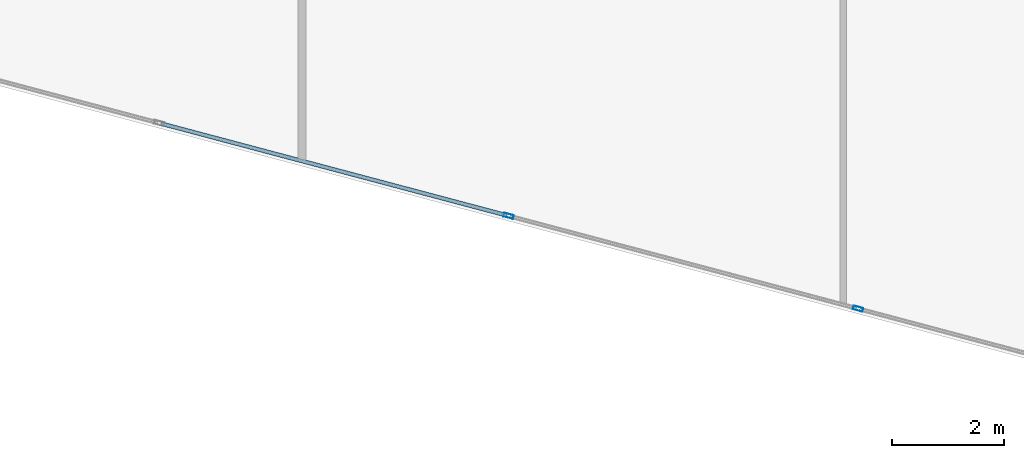
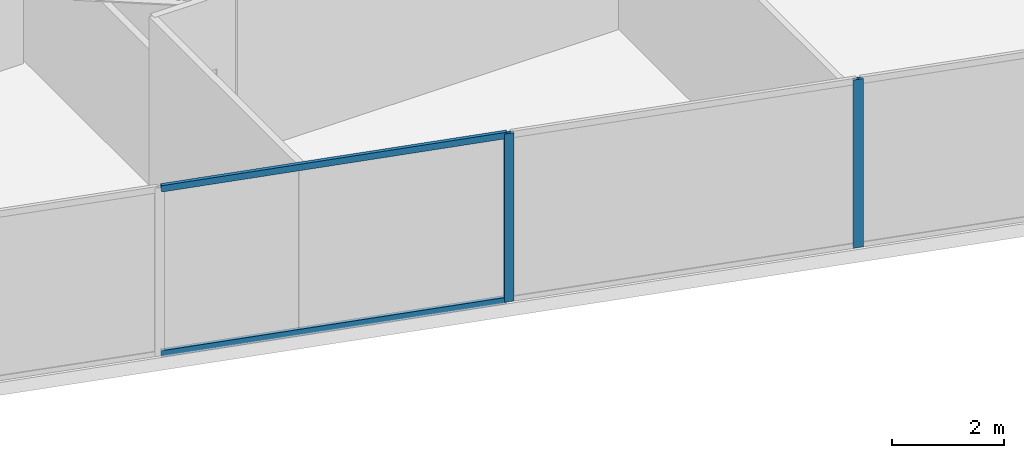
# One storey, part 4 of 27: 4 members, 1 element without a shape of its own.
"""IFC4 building model written with IfcOpenShell, lengths in metres."""

from ifc_helpers import new_model, si_unit, direction, frame, origin, origin_2d, place, context, subcontext, project, spatial, hollow_rectangle, extrude, source, transform, mapped, material, material_profile, profile_set, type_object, type_shapes, element, aggregate, save


model = new_model("IFC4")

# Units and contexts
model_context = context("Model", 3, precision=1e-05, world=origin(), true_north=direction((0.0, 1.0)))
body_context = subcontext(model_context, "Body", "Model", "MODEL_VIEW")
ifc_project = project(units=[si_unit("LENGTHUNIT", "METRE"), si_unit("AREAUNIT", "SQUARE_METRE"), si_unit("VOLUMEUNIT", "CUBIC_METRE"), si_unit("PLANEANGLEUNIT", "RADIAN"), si_unit("MASSUNIT", "GRAM", prefix="KILO")], contexts=[model_context])

# Site, building, storey
site_placement = place(None, origin())
site = spatial("IfcSite", under=ifc_project, at=site_placement, CompositionType="ELEMENT")
building_placement = place(site_placement, origin())
building = spatial("IfcBuilding", under=site, at=building_placement, Name="Krantzveldt Concourse Tower", CompositionType="ELEMENT")
storey_placement = place(building_placement, frame((0.0, 0.0, 97.949951171875)))
storey = spatial("IfcBuildingStorey", under=building, at=storey_placement, Name="L23", CompositionType="ELEMENT", Elevation=97.949951171875)

# Curtain wall, members
ifc_material = material(Name="Anodised aluminium 6063-T6", Category="aluminium")
curtain_wall_type = type_object("IfcCurtainWallType", Name="CW2", PredefinedType="USERDEFINED", material=ifc_material)
curtain_wall_placement = place(storey_placement, origin())
curtain_wall = element("IfcCurtainWall", 1, at=curtain_wall_placement, inside=storey, type_object=curtain_wall_type, Name="CW-L23-F04", ObjectType="UNITISED CURTAIN WALL", PredefinedType="USERDEFINED")
ifc_material_profile_1 = material_profile(ifc_material, hollow_rectangle(XDim=0.070068359375, YDim=0.179931640625, WallThickness=0.0048828125, at=origin_2d()), Name="Anodised aluminium 6063-T6", Category="aluminium")
ifc_profile_set_1 = profile_set([ifc_material_profile_1], Name="Anodised aluminium 6063-T6 - ALU-MULL 180x70x5")
member_type_1 = type_object("IfcMemberType", Name="CW-MUL-180", PredefinedType="MULLION", material=ifc_profile_set_1)
shared_shape_1 = source(origin(), body_context, "Body", "SweptSolid", [
    extrude(hollow_rectangle(XDim=0.070068359375, YDim=0.179931640625, WallThickness=0.0048828125, at=origin_2d()), origin(), (0.0, 0.0, 1.0), 3.670166015625),
])
type_shapes(member_type_1, [shared_shape_1])
member_1_placement = place(storey_placement, frame((30.01611328125, 4.171142578125, 0.0), z_axis=(0.0, 0.0, 1.0), x_axis=(0.256711093648, 0.966488186373, 0.0)))
member_1 = element("IfcMember", 2, at=member_1_placement, type_object=member_type_1, Name="CW-Z12 mullion 4", PredefinedType="MULLION", context=body_context, shape_type="MappedRepresentation", body=[
    mapped(shared_shape_1, transform((0.0, 0.0, 0.0), x_axis=(1.0, 0.0, 0.0), y_axis=(0.0, 1.0, 0.0), z_axis=(0.0, 0.0, 1.0), scale=1.0)),
])
member_2_placement = place(storey_placement, frame((36.26611328125, 2.510986328125, 0.0), z_axis=(0.0, 0.0, 1.0), x_axis=(0.256711093648, 0.966488186373, 0.0)))
member_2 = element("IfcMember", 3, at=member_2_placement, type_object=member_type_1, Name="CW-Z12 mullion 5", PredefinedType="MULLION", context=body_context, shape_type="MappedRepresentation", body=[
    mapped(shared_shape_1, transform((0.0, 0.0, 0.0), x_axis=(1.0, 0.0, 0.0), y_axis=(0.0, 1.0, 0.0), z_axis=(0.0, 0.0, 1.0), scale=1.0)),
])
ifc_material_profile_2 = material_profile(ifc_material, hollow_rectangle(XDim=0.070068359375, YDim=0.139892578125, WallThickness=0.0048828125, at=origin_2d()), Name="Anodised aluminium 6063-T6", Category="aluminium")
ifc_profile_set_2 = profile_set([ifc_material_profile_2], Name="Anodised aluminium 6063-T6 - ALU-TRAN 140x70x5")
member_type_2 = type_object("IfcMemberType", Name="CW-TRN-150", PredefinedType="USERDEFINED", material=ifc_profile_set_2)
shared_shape_2 = source(origin(), body_context, "Body", "SweptSolid", [
    extrude(hollow_rectangle(XDim=0.070068359375, YDim=0.139892578125, WallThickness=0.0048828125, at=origin_2d()), origin(), (0.0, 0.0, 1.0), 6.396484375),
])
type_shapes(member_type_2, [shared_shape_2])
member_3_placement = place(storey_placement, frame((23.800048828125, 5.822265625, 0.03515625), z_axis=(0.966486606622, -0.256717041156, 0.0), x_axis=(0.256717041156, 0.966486606622, 0.0)))
member_3 = element("IfcMember", 4, at=member_3_placement, type_object=member_type_2, Name="CW-Z12 transom 3.1", ObjectType="TRANSOM", PredefinedType="USERDEFINED", context=body_context, shape_type="MappedRepresentation", body=[
    mapped(shared_shape_2, transform((0.0, 0.0, 0.0), x_axis=(1.0, 0.0, 0.0), y_axis=(0.0, 1.0, 0.0), z_axis=(0.0, 0.0, 1.0), scale=1.0)),
])
member_4_placement = place(storey_placement, frame((23.800048828125, 5.822265625, 3.635009765625), z_axis=(0.966486606622, -0.256717041156, 0.0), x_axis=(0.256717041156, 0.966486606622, 0.0)))
member_4 = element("IfcMember", 5, at=member_4_placement, type_object=member_type_2, Name="CW-Z12 transom 3.2", ObjectType="TRANSOM", PredefinedType="USERDEFINED", context=body_context, shape_type="MappedRepresentation", body=[
    mapped(shared_shape_2, transform((0.0, 0.0, 0.0), x_axis=(1.0, 0.0, 0.0), y_axis=(0.0, 1.0, 0.0), z_axis=(0.0, 0.0, 1.0), scale=1.0)),
])
aggregate(curtain_wall, [member_1, member_2, member_3, member_4])

save(model, "model.ifc")
